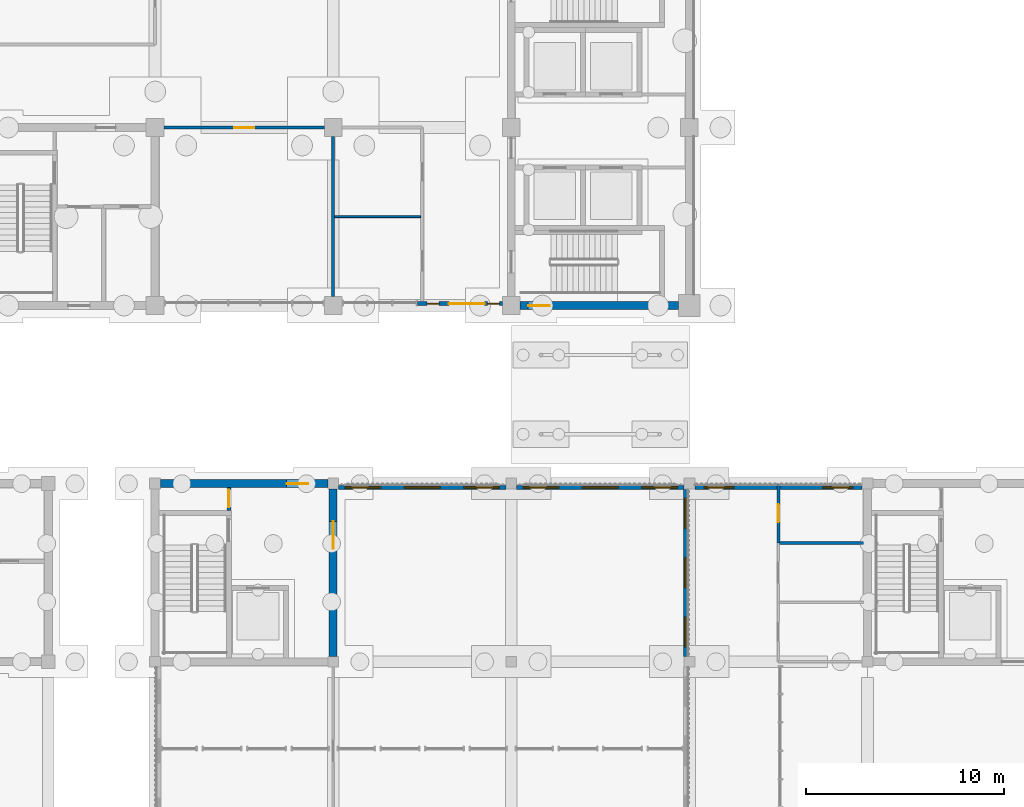
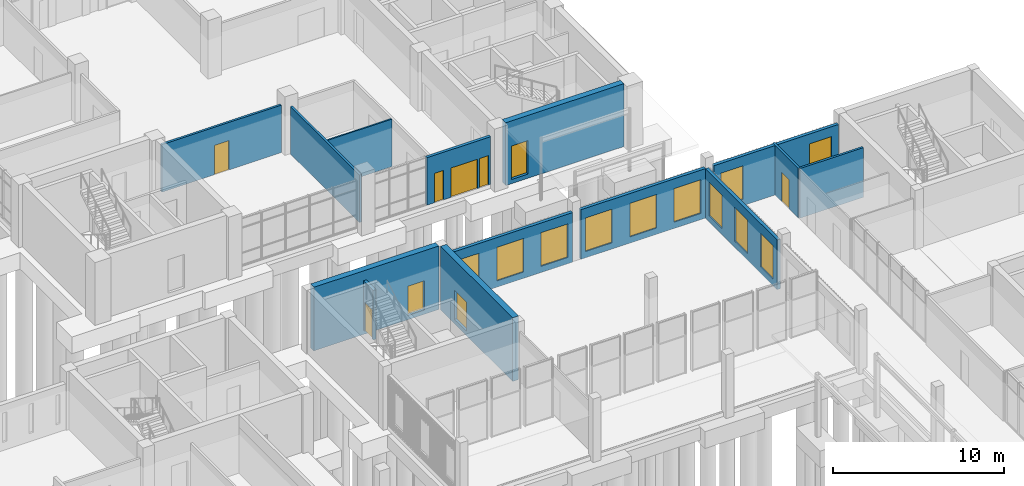
# One storey, part 78 of 106: 15 walls, 13 windows, 7 doors, 20 openings.
"""IFC4 building model written with IfcOpenShell, lengths in metres."""

from ifc_helpers import new_model, si_unit, direction, frame, frame_2d, origin, place, context, subcontext, project, spatial, rectangle, extrude, material, layer, layer_set, type_object, element, fill, save


model = new_model("IFC4")

# Units and contexts
model_context = context("Model", 3, precision=1e-05, world=origin(), true_north=direction((0.0, 1.0)))
body_context = subcontext(model_context, "Body", "Model", "MODEL_VIEW")
ifc_project = project(units=[si_unit("LENGTHUNIT", "METRE"), si_unit("AREAUNIT", "SQUARE_METRE"), si_unit("VOLUMEUNIT", "CUBIC_METRE"), si_unit("PLANEANGLEUNIT", "RADIAN"), si_unit("MASSUNIT", "GRAM", prefix="KILO")], contexts=[model_context])

# Site, building, storey
site_placement = place(None, origin())
site = spatial("IfcSite", under=ifc_project, at=site_placement, CompositionType="ELEMENT")
building_placement = place(site_placement, origin())
building = spatial("IfcBuilding", under=site, at=building_placement, Name="Merrow Basin Faculty of Sciences", CompositionType="ELEMENT")
storey_placement = place(building_placement, origin())
storey = spatial("IfcBuildingStorey", under=building, at=storey_placement, Name="L00", CompositionType="ELEMENT", Elevation=0.0)

# Wall, opening, door
ifc_material_1 = material(Name="Fire-rated gypsum board")
ifc_layer_1 = layer(ifc_material_1, 0.14990234375)
ifc_layer_set_1 = layer_set([ifc_layer_1], Name="Corridor partition 150 fire-rated board on steel studs")
wall_type_1 = type_object("IfcWallType", Name="Corridor partition 150 fire-rated board on steel studs", PredefinedType="PARTITIONING", material=ifc_layer_set_1)
wall_1_placement = place(storey_placement, frame((27.449951171875, 151.0, 0.0), z_axis=(0.0, 0.0, 1.0), x_axis=(1.0, 0.0, 0.0)))
wall_1 = element("IfcWall", 1, at=wall_1_placement, inside=storey, type_object=wall_type_1, Name="IW151 L00 010", PredefinedType="PARTITIONING", context=body_context, shape_type="SweptSolid", body=[
    extrude(rectangle(XDim=8.10009765625, YDim=0.14990234375, at=frame_2d((4.050048828125, 0.0))), origin(), (0.0, 0.0, 1.0), 3.39990234375),
])
opening_1_placement = place(wall_1_placement, frame((3.550048828125, 0.0, 0.0)))
opening_1 = element("IfcOpeningElement", 2, at=opening_1_placement, cuts=wall_1, Name="Opening D00T012", PredefinedType="OPENING", context=body_context, shape_type="SweptSolid", body=[
    extrude(rectangle(XDim=1.0, YDim=2.10009765625, at=frame_2d((0.5, 1.050048828125))), frame((0.0, 0.0849609375, 0.0), z_axis=(0.0, -1.0, 0.0), x_axis=(1.0, 0.0, 0.0)), (0.0, 0.0, 1.0), 0.169921875),
])
ifc_material_2 = material(Name="Fire-rated steel door", Category="steel")
door_type_1 = type_object("IfcDoorType", Name="Fire door FD60 1000 x 2100", OperationType="NOTDEFINED", PredefinedType="DOOR", material=ifc_material_2)
door_1_placement = place(opening_1_placement, origin())
door_1 = element("IfcDoor", 3, at=door_1_placement, inside=storey, type_object=door_type_1, Name="Door D00T012", OperationType="SINGLE_SWING_LEFT", OverallHeight=2.10009765625, OverallWidth=1.0, PredefinedType="DOOR", context=body_context, shape_type="SweptSolid", body=[
    extrude(rectangle(XDim=1.0, YDim=2.10009765625, at=frame_2d((0.5, 1.050048828125))), frame((0.0, 0.02490234375, 0.0), z_axis=(0.0, -1.0, 0.0), x_axis=(1.0, 0.0, 0.0)), (0.0, 0.0, 1.0), 0.050048828125),
])
fill(opening_1, door_1)

# Wall, openings, door, windows
ifc_material_3 = material(Name="Precast concrete C40/50", Category="concrete")
ifc_layer_2 = layer(ifc_material_3, 0.199951171875)
ifc_layer_set_2 = layer_set([ifc_layer_2], Name="Entrance frame wall 200 Precast concrete C40/50")
wall_type_2 = type_object("IfcWallType", Name="Entrance frame wall 200 Precast concrete C40/50", PredefinedType="STANDARD", material=ifc_layer_set_2)
wall_2_placement = place(storey_placement, frame((44.550048828125, 142.10009765625, 0.0), z_axis=(0.0, 0.0, 1.0), x_axis=(-1.0, 0.0, 0.0)))
wall_2 = element("IfcWall", 4, at=wall_2_placement, inside=storey, type_object=wall_type_2, Name="Entrance frame wall south", PredefinedType="STANDARD", context=body_context, shape_type="SweptSolid", body=[
    extrude(rectangle(XDim=4.300048828125, YDim=0.199951171875, at=frame_2d((2.14990234375, 0.0))), origin(), (0.0, 0.0, 1.0), 3.39990234375),
])
opening_2_placement = place(wall_2_placement, frame((0.89990234375, 0.0, 0.0)))
opening_2 = element("IfcOpeningElement", 5, at=opening_2_placement, cuts=wall_2, Name="Opening D00T016", PredefinedType="OPENING", context=body_context, shape_type="SweptSolid", body=[
    extrude(rectangle(XDim=1.800048828125, YDim=2.10009765625, at=frame_2d((0.89990234375, 1.050048828125))), frame((0.0, 0.10986328125, 0.0), z_axis=(0.0, -1.0, 0.0), x_axis=(1.0, 0.0, 0.0)), (0.0, 0.0, 1.0), 0.219970703125),
])
opening_3_placement = place(wall_2_placement, frame((0.14990234375, 0.0, 0.0)))
opening_3 = element("IfcOpeningElement", 6, at=opening_3_placement, cuts=wall_2, Name="Opening WN2", PredefinedType="OPENING", context=body_context, shape_type="SweptSolid", body=[
    extrude(rectangle(XDim=0.60009765625, YDim=2.10009765625, at=frame_2d((0.300048828125, 1.050048828125))), frame((0.0, 0.10986328125, 0.0), z_axis=(0.0, -1.0, 0.0), x_axis=(1.0, 0.0, 0.0)), (0.0, 0.0, 1.0), 0.219970703125),
])
opening_4_placement = place(wall_2_placement, frame((3.199951171875, 0.0, 0.0)))
opening_4 = element("IfcOpeningElement", 7, at=opening_4_placement, cuts=wall_2, Name="Opening WN2", PredefinedType="OPENING", context=body_context, shape_type="SweptSolid", body=[
    extrude(rectangle(XDim=0.60009765625, YDim=2.10009765625, at=frame_2d((0.300048828125, 1.050048828125))), frame((0.0, 0.10986328125, 0.0), z_axis=(0.0, -1.0, 0.0), x_axis=(1.0, 0.0, 0.0)), (0.0, 0.0, 1.0), 0.219970703125),
])
ifc_material_4 = material(Name="Glazed aluminium door", Category="aluminium")
door_type_2 = type_object("IfcDoorType", Name="Double swing door 1800 x 2100", OperationType="NOTDEFINED", PredefinedType="DOOR", material=ifc_material_4)
door_2_placement = place(opening_2_placement, origin())
door_2 = element("IfcDoor", 8, at=door_2_placement, inside=storey, type_object=door_type_2, Name="South entrance door", OperationType="DOUBLE_DOOR_SINGLE_SWING", OverallHeight=2.10009765625, OverallWidth=1.800048828125, PredefinedType="DOOR", context=body_context, shape_type="SweptSolid", body=[
    extrude(rectangle(XDim=1.800048828125, YDim=2.10009765625, at=frame_2d((0.89990234375, 1.050048828125))), frame((0.0, 0.02490234375, 0.0), z_axis=(0.0, -1.0, 0.0), x_axis=(1.0, 0.0, 0.0)), (0.0, 0.0, 1.0), 0.050048828125),
])
fill(opening_2, door_2)
ifc_material_5 = material(Name="Low-E double glazing", Category="glass")
window_type_1 = type_object("IfcWindowType", Name="Entrance sidelight 600 x 2100", PartitioningType="SINGLE_PANEL", PredefinedType="WINDOW", material=ifc_material_5)
window_1_placement = place(opening_3_placement, origin())
window_1 = element("IfcWindow", 9, at=window_1_placement, inside=storey, type_object=window_type_1, Name="South entrance sidelight", OverallHeight=2.10009765625, OverallWidth=0.60009765625, PartitioningType="SINGLE_PANEL", PredefinedType="WINDOW", context=body_context, shape_type="SweptSolid", body=[
    extrude(rectangle(XDim=0.60009765625, YDim=2.10009765625, at=frame_2d((0.300048828125, 1.050048828125))), frame((0.0, 0.030029296875, 0.0), z_axis=(0.0, -1.0, 0.0), x_axis=(1.0, 0.0, 0.0)), (0.0, 0.0, 1.0), 0.06005859375),
])
fill(opening_3, window_1)
window_2_placement = place(opening_4_placement, origin())
window_2 = element("IfcWindow", 10, at=window_2_placement, inside=storey, type_object=window_type_1, Name="South entrance sidelight", OverallHeight=2.10009765625, OverallWidth=0.60009765625, PartitioningType="SINGLE_PANEL", PredefinedType="WINDOW", context=body_context, shape_type="SweptSolid", body=[
    extrude(rectangle(XDim=0.60009765625, YDim=2.10009765625, at=frame_2d((0.300048828125, 1.050048828125))), frame((0.0, 0.030029296875, 0.0), z_axis=(0.0, -1.0, 0.0), x_axis=(1.0, 0.0, 0.0)), (0.0, 0.0, 1.0), 0.06005859375),
])
fill(opening_4, window_2)

# Wall, opening, window
ifc_material_6 = material(Name="Precast concrete C40/50", Category="concrete")
ifc_layer_3 = layer(ifc_material_6, 0.215087890625)
ifc_layer_set_3 = layer_set([ifc_layer_3], Name="External infill wall 215 Precast concrete C40/50")
wall_type_3 = type_object("IfcWallType", Name="External infill wall 215 Precast concrete C40/50", PredefinedType="STANDARD", material=ifc_layer_set_3)
wall_3_placement = place(storey_placement, frame((54.27490234375, 132.80810546875, 0.0), z_axis=(0.0, 0.0, 1.0), x_axis=(1.0, 0.0, 0.0)))
wall_3 = element("IfcWall", 11, at=wall_3_placement, inside=storey, type_object=wall_type_3, Name="N external wall 1", PredefinedType="STANDARD", context=body_context, shape_type="SweptSolid", body=[
    extrude(rectangle(XDim=4.150146484375, YDim=0.215087890625, at=frame_2d((2.0751953125, 0.0))), origin(), (0.0, 0.0, 1.0), 3.550048828125),
])
opening_5_placement = place(wall_3_placement, frame((0.47509765625, 0.0, 0.449951171875)))
opening_5 = element("IfcOpeningElement", 12, at=opening_5_placement, cuts=wall_3, Name="Opening WN7", PredefinedType="OPENING", context=body_context, shape_type="SweptSolid", body=[
    extrude(rectangle(XDim=1.5, YDim=2.39990234375, at=frame_2d((0.75, 1.199951171875))), frame((0.0, 0.117431640625, 0.0), z_axis=(0.0, -1.0, 0.0), x_axis=(1.0, 0.0, 0.0)), (0.0, 0.0, 1.0), 0.235107421875),
])
ifc_material_7 = material(Name="Low-E double glazing", Category="glass")
window_type_2 = type_object("IfcWindowType", Name="Shopfront window 1500 x 2400", PartitioningType="SINGLE_PANEL", PredefinedType="WINDOW", material=ifc_material_7)
window_3_placement = place(opening_5_placement, origin())
window_3 = element("IfcWindow", 13, at=window_3_placement, inside=storey, type_object=window_type_2, Name="N window L00", OverallHeight=2.39990234375, OverallWidth=1.5, PartitioningType="SINGLE_PANEL", PredefinedType="WINDOW", context=body_context, shape_type="SweptSolid", body=[
    extrude(rectangle(XDim=1.5, YDim=2.39990234375, at=frame_2d((0.75, 1.199951171875))), frame((0.0, 0.030029296875, 0.0), z_axis=(0.0, -1.0, 0.0), x_axis=(1.0, 0.0, 0.0)), (0.0, 0.0, 1.0), 0.06005859375),
])
fill(opening_5, window_3)

wall_4_placement = place(storey_placement, frame((58.574951171875, 132.80810546875, 0.0), z_axis=(0.0, 0.0, 1.0), x_axis=(1.0, 0.0, 0.0)))
wall_4 = element("IfcWall", 14, at=wall_4_placement, inside=storey, type_object=wall_type_3, Name="N external wall 2", PredefinedType="STANDARD", context=body_context, shape_type="SweptSolid", body=[
    extrude(rectangle(XDim=4.150146484375, YDim=0.215087890625, at=frame_2d((2.0751953125, 0.0))), origin(), (0.0, 0.0, 1.0), 3.550048828125),
])
opening_6_placement = place(wall_4_placement, frame((2.175048828125, 0.0, 0.449951171875)))
opening_6 = element("IfcOpeningElement", 15, at=opening_6_placement, cuts=wall_4, Name="Opening WN7", PredefinedType="OPENING", context=body_context, shape_type="SweptSolid", body=[
    extrude(rectangle(XDim=1.5, YDim=2.39990234375, at=frame_2d((0.75, 1.199951171875))), frame((0.0, 0.117431640625, 0.0), z_axis=(0.0, -1.0, 0.0), x_axis=(1.0, 0.0, 0.0)), (0.0, 0.0, 1.0), 0.235107421875),
])
window_4_placement = place(opening_6_placement, origin())
window_4 = element("IfcWindow", 16, at=window_4_placement, inside=storey, type_object=window_type_2, Name="N window L00", OverallHeight=2.39990234375, OverallWidth=1.5, PartitioningType="SINGLE_PANEL", PredefinedType="WINDOW", context=body_context, shape_type="SweptSolid", body=[
    extrude(rectangle(XDim=1.5, YDim=2.39990234375, at=frame_2d((0.75, 1.199951171875))), frame((0.0, 0.030029296875, 0.0), z_axis=(0.0, -1.0, 0.0), x_axis=(1.0, 0.0, 0.0)), (0.0, 0.0, 1.0), 0.06005859375),
])
fill(opening_6, window_4)

# Wall, openings, windows
wall_5_placement = place(storey_placement, frame((36.27490234375, 132.80810546875, 0.0), z_axis=(0.0, 0.0, 1.0), x_axis=(1.0, 0.0, 0.0)))
wall_5 = element("IfcWall", 17, at=wall_5_placement, inside=storey, type_object=wall_type_3, Name="N external wall 1", PredefinedType="STANDARD", context=body_context, shape_type="SweptSolid", body=[
    extrude(rectangle(XDim=8.4501953125, YDim=0.215087890625, at=frame_2d((4.22509765625, 0.0))), origin(), (0.0, 0.0, 1.0), 3.550048828125),
])
opening_7_placement = place(wall_5_placement, frame((0.324951171875, 0.0, 0.449951171875)))
opening_7 = element("IfcOpeningElement", 18, at=opening_7_placement, cuts=wall_5, Name="Opening WN13", PredefinedType="OPENING", context=body_context, shape_type="SweptSolid", body=[
    extrude(rectangle(XDim=1.800048828125, YDim=2.39990234375, at=frame_2d((0.89990234375, 1.199951171875))), frame((0.0, 0.117431640625, 0.0), z_axis=(0.0, -1.0, 0.0), x_axis=(1.0, 0.0, 0.0)), (0.0, 0.0, 1.0), 0.235107421875),
])
opening_8_placement = place(wall_5_placement, frame((3.324951171875, 0.0, 0.449951171875)))
opening_8 = element("IfcOpeningElement", 19, at=opening_8_placement, cuts=wall_5, Name="Opening WN13", PredefinedType="OPENING", context=body_context, shape_type="SweptSolid", body=[
    extrude(rectangle(XDim=1.800048828125, YDim=2.39990234375, at=frame_2d((0.89990234375, 1.199951171875))), frame((0.0, 0.117431640625, 0.0), z_axis=(0.0, -1.0, 0.0), x_axis=(1.0, 0.0, 0.0)), (0.0, 0.0, 1.0), 0.235107421875),
])
opening_9_placement = place(wall_5_placement, frame((6.324951171875, 0.0, 0.449951171875)))
opening_9 = element("IfcOpeningElement", 20, at=opening_9_placement, cuts=wall_5, Name="Opening WN13", PredefinedType="OPENING", context=body_context, shape_type="SweptSolid", body=[
    extrude(rectangle(XDim=1.800048828125, YDim=2.39990234375, at=frame_2d((0.89990234375, 1.199951171875))), frame((0.0, 0.117431640625, 0.0), z_axis=(0.0, -1.0, 0.0), x_axis=(1.0, 0.0, 0.0)), (0.0, 0.0, 1.0), 0.235107421875),
])
ifc_material_8 = material(Name="Low-E double glazing", Category="glass")
window_type_3 = type_object("IfcWindowType", Name="Reading room shopfront window 1800 x 2400", PartitioningType="SINGLE_PANEL", PredefinedType="WINDOW", material=ifc_material_8)
window_5_placement = place(opening_7_placement, origin())
window_5 = element("IfcWindow", 21, at=window_5_placement, inside=storey, type_object=window_type_3, Name="N window L00", OverallHeight=2.39990234375, OverallWidth=1.800048828125, PartitioningType="SINGLE_PANEL", PredefinedType="WINDOW", context=body_context, shape_type="SweptSolid", body=[
    extrude(rectangle(XDim=1.800048828125, YDim=2.39990234375, at=frame_2d((0.89990234375, 1.199951171875))), frame((0.0, 0.030029296875, 0.0), z_axis=(0.0, -1.0, 0.0), x_axis=(1.0, 0.0, 0.0)), (0.0, 0.0, 1.0), 0.06005859375),
])
fill(opening_7, window_5)
window_6_placement = place(opening_8_placement, origin())
window_6 = element("IfcWindow", 22, at=window_6_placement, inside=storey, type_object=window_type_3, Name="N window L00", OverallHeight=2.39990234375, OverallWidth=1.800048828125, PartitioningType="SINGLE_PANEL", PredefinedType="WINDOW", context=body_context, shape_type="SweptSolid", body=[
    extrude(rectangle(XDim=1.800048828125, YDim=2.39990234375, at=frame_2d((0.89990234375, 1.199951171875))), frame((0.0, 0.030029296875, 0.0), z_axis=(0.0, -1.0, 0.0), x_axis=(1.0, 0.0, 0.0)), (0.0, 0.0, 1.0), 0.06005859375),
])
fill(opening_8, window_6)
window_7_placement = place(opening_9_placement, origin())
window_7 = element("IfcWindow", 23, at=window_7_placement, inside=storey, type_object=window_type_3, Name="N window L00", OverallHeight=2.39990234375, OverallWidth=1.800048828125, PartitioningType="SINGLE_PANEL", PredefinedType="WINDOW", context=body_context, shape_type="SweptSolid", body=[
    extrude(rectangle(XDim=1.800048828125, YDim=2.39990234375, at=frame_2d((0.89990234375, 1.199951171875))), frame((0.0, 0.030029296875, 0.0), z_axis=(0.0, -1.0, 0.0), x_axis=(1.0, 0.0, 0.0)), (0.0, 0.0, 1.0), 0.06005859375),
])
fill(opening_9, window_7)

wall_6_placement = place(storey_placement, frame((45.27490234375, 132.80810546875, 0.0), z_axis=(0.0, 0.0, 1.0), x_axis=(1.0, 0.0, 0.0)))
wall_6 = element("IfcWall", 24, at=wall_6_placement, inside=storey, type_object=wall_type_3, Name="N external wall 2", PredefinedType="STANDARD", context=body_context, shape_type="SweptSolid", body=[
    extrude(rectangle(XDim=8.4501953125, YDim=0.215087890625, at=frame_2d((4.22509765625, 0.0))), origin(), (0.0, 0.0, 1.0), 3.550048828125),
])
opening_10_placement = place(wall_6_placement, frame((0.324951171875, 0.0, 0.449951171875)))
opening_10 = element("IfcOpeningElement", 25, at=opening_10_placement, cuts=wall_6, Name="Opening WN13", PredefinedType="OPENING", context=body_context, shape_type="SweptSolid", body=[
    extrude(rectangle(XDim=1.800048828125, YDim=2.39990234375, at=frame_2d((0.89990234375, 1.199951171875))), frame((0.0, 0.117431640625, 0.0), z_axis=(0.0, -1.0, 0.0), x_axis=(1.0, 0.0, 0.0)), (0.0, 0.0, 1.0), 0.235107421875),
])
opening_11_placement = place(wall_6_placement, frame((3.324951171875, 0.0, 0.449951171875)))
opening_11 = element("IfcOpeningElement", 26, at=opening_11_placement, cuts=wall_6, Name="Opening WN13", PredefinedType="OPENING", context=body_context, shape_type="SweptSolid", body=[
    extrude(rectangle(XDim=1.800048828125, YDim=2.39990234375, at=frame_2d((0.89990234375, 1.199951171875))), frame((0.0, 0.117431640625, 0.0), z_axis=(0.0, -1.0, 0.0), x_axis=(1.0, 0.0, 0.0)), (0.0, 0.0, 1.0), 0.235107421875),
])
opening_12_placement = place(wall_6_placement, frame((6.324951171875, 0.0, 0.449951171875)))
opening_12 = element("IfcOpeningElement", 27, at=opening_12_placement, cuts=wall_6, Name="Opening WN13", PredefinedType="OPENING", context=body_context, shape_type="SweptSolid", body=[
    extrude(rectangle(XDim=1.800048828125, YDim=2.39990234375, at=frame_2d((0.89990234375, 1.199951171875))), frame((0.0, 0.117431640625, 0.0), z_axis=(0.0, -1.0, 0.0), x_axis=(1.0, 0.0, 0.0)), (0.0, 0.0, 1.0), 0.235107421875),
])
window_8_placement = place(opening_10_placement, origin())
window_8 = element("IfcWindow", 28, at=window_8_placement, inside=storey, type_object=window_type_3, Name="N window L00", OverallHeight=2.39990234375, OverallWidth=1.800048828125, PartitioningType="SINGLE_PANEL", PredefinedType="WINDOW", context=body_context, shape_type="SweptSolid", body=[
    extrude(rectangle(XDim=1.800048828125, YDim=2.39990234375, at=frame_2d((0.89990234375, 1.199951171875))), frame((0.0, 0.030029296875, 0.0), z_axis=(0.0, -1.0, 0.0), x_axis=(1.0, 0.0, 0.0)), (0.0, 0.0, 1.0), 0.06005859375),
])
fill(opening_10, window_8)
window_9_placement = place(opening_11_placement, origin())
window_9 = element("IfcWindow", 29, at=window_9_placement, inside=storey, type_object=window_type_3, Name="N window L00", OverallHeight=2.39990234375, OverallWidth=1.800048828125, PartitioningType="SINGLE_PANEL", PredefinedType="WINDOW", context=body_context, shape_type="SweptSolid", body=[
    extrude(rectangle(XDim=1.800048828125, YDim=2.39990234375, at=frame_2d((0.89990234375, 1.199951171875))), frame((0.0, 0.030029296875, 0.0), z_axis=(0.0, -1.0, 0.0), x_axis=(1.0, 0.0, 0.0)), (0.0, 0.0, 1.0), 0.06005859375),
])
fill(opening_11, window_9)
window_10_placement = place(opening_12_placement, origin())
window_10 = element("IfcWindow", 30, at=window_10_placement, inside=storey, type_object=window_type_3, Name="N window L00", OverallHeight=2.39990234375, OverallWidth=1.800048828125, PartitioningType="SINGLE_PANEL", PredefinedType="WINDOW", context=body_context, shape_type="SweptSolid", body=[
    extrude(rectangle(XDim=1.800048828125, YDim=2.39990234375, at=frame_2d((0.89990234375, 1.199951171875))), frame((0.0, 0.030029296875, 0.0), z_axis=(0.0, -1.0, 0.0), x_axis=(1.0, 0.0, 0.0)), (0.0, 0.0, 1.0), 0.06005859375),
])
fill(opening_12, window_10)

wall_7_placement = place(storey_placement, frame((53.806884765625, 132.700927734375, 0.0), z_axis=(0.0, 0.0, 1.0), x_axis=(0.0, -1.0, 0.0)))
wall_7 = element("IfcWall", 31, at=wall_7_placement, inside=storey, type_object=wall_type_3, Name="E external wall 2", PredefinedType="STANDARD", context=body_context, shape_type="SweptSolid", body=[
    extrude(rectangle(XDim=8.426025390625, YDim=0.215087890625, at=frame_2d((4.212890625, 0.0))), origin(), (0.0, 0.0, 1.0), 3.550048828125),
])
opening_13_placement = place(wall_7_placement, frame((6.450927734375, 0.0, 0.449951171875)))
opening_13 = element("IfcOpeningElement", 32, at=opening_13_placement, cuts=wall_7, Name="Opening WN7", PredefinedType="OPENING", context=body_context, shape_type="SweptSolid", body=[
    extrude(rectangle(XDim=1.5, YDim=2.39990234375, at=frame_2d((0.75, 1.199951171875))), frame((0.0, 0.117431640625, 0.0), z_axis=(0.0, -1.0, 0.0), x_axis=(1.0, 0.0, 0.0)), (0.0, 0.0, 1.0), 0.235107421875),
])
opening_14_placement = place(wall_7_placement, frame((3.450927734375, 0.0, 0.449951171875)))
opening_14 = element("IfcOpeningElement", 33, at=opening_14_placement, cuts=wall_7, Name="Opening WN7", PredefinedType="OPENING", context=body_context, shape_type="SweptSolid", body=[
    extrude(rectangle(XDim=1.5, YDim=2.39990234375, at=frame_2d((0.75, 1.199951171875))), frame((0.0, 0.117431640625, 0.0), z_axis=(0.0, -1.0, 0.0), x_axis=(1.0, 0.0, 0.0)), (0.0, 0.0, 1.0), 0.235107421875),
])
opening_15_placement = place(wall_7_placement, frame((0.450927734375, 0.0, 0.449951171875)))
opening_15 = element("IfcOpeningElement", 34, at=opening_15_placement, cuts=wall_7, Name="Opening WN7", PredefinedType="OPENING", context=body_context, shape_type="SweptSolid", body=[
    extrude(rectangle(XDim=1.5, YDim=2.39990234375, at=frame_2d((0.75, 1.199951171875))), frame((0.0, 0.117431640625, 0.0), z_axis=(0.0, -1.0, 0.0), x_axis=(1.0, 0.0, 0.0)), (0.0, 0.0, 1.0), 0.235107421875),
])
window_11_placement = place(opening_13_placement, origin())
window_11 = element("IfcWindow", 35, at=window_11_placement, inside=storey, type_object=window_type_2, Name="E window L00", OverallHeight=2.39990234375, OverallWidth=1.5, PartitioningType="SINGLE_PANEL", PredefinedType="WINDOW", context=body_context, shape_type="SweptSolid", body=[
    extrude(rectangle(XDim=1.5, YDim=2.39990234375, at=frame_2d((0.75, 1.199951171875))), frame((0.0, 0.030029296875, 0.0), z_axis=(0.0, -1.0, 0.0), x_axis=(1.0, 0.0, 0.0)), (0.0, 0.0, 1.0), 0.06005859375),
])
fill(opening_13, window_11)
window_12_placement = place(opening_14_placement, origin())
window_12 = element("IfcWindow", 36, at=window_12_placement, inside=storey, type_object=window_type_2, Name="E window L00", OverallHeight=2.39990234375, OverallWidth=1.5, PartitioningType="SINGLE_PANEL", PredefinedType="WINDOW", context=body_context, shape_type="SweptSolid", body=[
    extrude(rectangle(XDim=1.5, YDim=2.39990234375, at=frame_2d((0.75, 1.199951171875))), frame((0.0, 0.030029296875, 0.0), z_axis=(0.0, -1.0, 0.0), x_axis=(1.0, 0.0, 0.0)), (0.0, 0.0, 1.0), 0.06005859375),
])
fill(opening_14, window_12)
window_13_placement = place(opening_15_placement, origin())
window_13 = element("IfcWindow", 37, at=window_13_placement, inside=storey, type_object=window_type_2, Name="E window L00", OverallHeight=2.39990234375, OverallWidth=1.5, PartitioningType="SINGLE_PANEL", PredefinedType="WINDOW", context=body_context, shape_type="SweptSolid", body=[
    extrude(rectangle(XDim=1.5, YDim=2.39990234375, at=frame_2d((0.75, 1.199951171875))), frame((0.0, 0.030029296875, 0.0), z_axis=(0.0, -1.0, 0.0), x_axis=(1.0, 0.0, 0.0)), (0.0, 0.0, 1.0), 0.06005859375),
])
fill(opening_15, window_13)

# Walls
ifc_material_9 = material(Name="Fire-rated gypsum board")
ifc_layer_4 = layer(ifc_material_9, 0.14990234375)
ifc_layer_set_4 = layer_set([ifc_layer_4], Name="Laboratory partition 150 fire-rated board on steel studs")
wall_type_4 = type_object("IfcWallType", Name="Laboratory partition 150 fire-rated board on steel studs", PredefinedType="PARTITIONING", material=ifc_layer_set_4)
wall_8_placement = place(storey_placement, frame((36.0, 142.449951171875, 0.0), z_axis=(0.0, 0.0, 1.0), x_axis=(0.0, 1.0, 0.0)))
element("IfcWall", 38, at=wall_8_placement, inside=storey, type_object=wall_type_4, Name="IW150 L00 015", PredefinedType="PARTITIONING", context=body_context, shape_type="SweptSolid", body=[
    extrude(rectangle(XDim=8.10009765625, YDim=0.14990234375, at=frame_2d((4.050048828125, 0.0))), origin(), (0.0, 0.0, 1.0), 3.39990234375),
])
ifc_material_10 = material(Name="Moisture-resistant gypsum board")
ifc_layer_5 = layer(ifc_material_10, 0.10009765625)
ifc_layer_set_5 = layer_set([ifc_layer_5], Name="Partition 100 moisture-resistant board on steel studs")
wall_type_5 = type_object("IfcWallType", Name="Partition 100 moisture-resistant board on steel studs", PredefinedType="PARTITIONING", material=ifc_layer_set_5)
wall_9_placement = place(storey_placement, frame((36.074951171875, 146.5, 0.0), z_axis=(0.0, 0.0, 1.0), x_axis=(1.0, 0.0, 0.0)))
element("IfcWall", 39, at=wall_9_placement, inside=storey, type_object=wall_type_5, Name="IW101 L00 016", PredefinedType="PARTITIONING", context=body_context, shape_type="SweptSolid", body=[
    extrude(rectangle(XDim=4.35009765625, YDim=0.10009765625, at=frame_2d((2.175048828125, 0.0))), origin(), (0.0, 0.0, 1.0), 3.39990234375),
])

# Wall, opening, door
ifc_material_11 = material(Name="Fire-rated gypsum board")
ifc_layer_6 = layer(ifc_material_11, 0.199951171875)
ifc_layer_set_6 = layer_set([ifc_layer_6], Name="Riser lining 200 fire-rated board on steel studs")
wall_type_6 = type_object("IfcWallType", Name="Riser lining 200 fire-rated board on steel studs", PredefinedType="PARTITIONING", material=ifc_layer_set_6)
wall_10_placement = place(storey_placement, frame((30.72509765625, 131.64990234375, 0.0), z_axis=(0.0, 0.0, 1.0), x_axis=(0.0, 1.0, 0.0)))
wall_10 = element("IfcWall", 40, at=wall_10_placement, inside=storey, type_object=wall_type_6, Name="IW200 L00 001", PredefinedType="PARTITIONING", context=body_context, shape_type="SweptSolid", body=[
    extrude(rectangle(XDim=1.150146484375, YDim=0.199951171875, at=frame_2d((0.5751953125, 0.0))), origin(), (0.0, 0.0, 1.0), 3.550048828125),
])
opening_16_placement = place(wall_10_placement, frame((0.14990234375, 0.0, 0.0)))
opening_16 = element("IfcOpeningElement", 41, at=opening_16_placement, cuts=wall_10, Name="Opening D00C016", PredefinedType="OPENING", context=body_context, shape_type="SweptSolid", body=[
    extrude(rectangle(XDim=0.89990234375, YDim=2.10009765625, at=frame_2d((0.449951171875, 1.050048828125))), frame((0.0, 0.10986328125, 0.0), z_axis=(0.0, -1.0, 0.0), x_axis=(1.0, 0.0, 0.0)), (0.0, 0.0, 1.0), 0.219970703125),
])
ifc_material_12 = material(Name="Fire-rated steel door", Category="steel")
door_type_3 = type_object("IfcDoorType", Name="Fire door FD60 900 x 2100", OperationType="NOTDEFINED", PredefinedType="DOOR", material=ifc_material_12)
door_3_placement = place(opening_16_placement, origin())
door_3 = element("IfcDoor", 42, at=door_3_placement, inside=storey, type_object=door_type_3, Name="Door D00C016", OperationType="SINGLE_SWING_LEFT", OverallHeight=2.10009765625, OverallWidth=0.89990234375, PredefinedType="DOOR", context=body_context, shape_type="SweptSolid", body=[
    extrude(rectangle(XDim=0.89990234375, YDim=2.10009765625, at=frame_2d((0.449951171875, 1.050048828125))), frame((0.0, 0.02490234375, 0.0), z_axis=(0.0, -1.0, 0.0), x_axis=(1.0, 0.0, 0.0)), (0.0, 0.0, 1.0), 0.050048828125),
])
fill(opening_16, door_3)

ifc_material_13 = material(Name="Concrete C40/50", Category="concrete")
ifc_layer_7 = layer(ifc_material_13, 0.39990234375)
ifc_layer_set_7 = layer_set([ifc_layer_7], Name="Shear wall 400 Concrete C40/50")
wall_type_7 = type_object("IfcWallType", Name="Shear wall 400 Concrete C40/50", PredefinedType="SHEAR", material=ifc_layer_set_7)
wall_11_placement = place(storey_placement, frame((27.27490234375, 133.0, -0.300048828125), z_axis=(0.0, 0.0, 1.0), x_axis=(1.0, 0.0, 0.0)))
wall_11 = element("IfcWall", 43, at=wall_11_placement, inside=storey, type_object=wall_type_7, Name="SW1 L00 002", PredefinedType="SHEAR", context=body_context, shape_type="SweptSolid", body=[
    extrude(rectangle(XDim=8.4501953125, YDim=0.39990234375, at=frame_2d((4.22509765625, 0.0))), origin(), (0.0, 0.0, 1.0), 4.550048828125),
])
opening_17_placement = place(wall_11_placement, frame((6.375, 0.0, 0.300048828125)))
opening_17 = element("IfcOpeningElement", 44, at=opening_17_placement, cuts=wall_11, Name="Opening D00C015", PredefinedType="OPENING", context=body_context, shape_type="SweptSolid", body=[
    extrude(rectangle(XDim=1.10009765625, YDim=2.10009765625, at=frame_2d((0.550048828125, 1.050048828125))), frame((0.0, 0.2099609375, 0.0), z_axis=(0.0, -1.0, 0.0), x_axis=(1.0, 0.0, 0.0)), (0.0, 0.0, 1.0), 0.419921875),
])
ifc_material_14 = material(Name="Fire-rated steel door", Category="steel")
door_type_4 = type_object("IfcDoorType", Name="Fire door FD90 1100 x 2100", OperationType="NOTDEFINED", PredefinedType="DOOR", material=ifc_material_14)
door_4_placement = place(opening_17_placement, origin())
door_4 = element("IfcDoor", 45, at=door_4_placement, inside=storey, type_object=door_type_4, Name="Core W exit door", OperationType="SINGLE_SWING_RIGHT", OverallHeight=2.10009765625, OverallWidth=1.10009765625, PredefinedType="DOOR", context=body_context, shape_type="SweptSolid", body=[
    extrude(rectangle(XDim=1.10009765625, YDim=2.10009765625, at=frame_2d((0.550048828125, 1.050048828125))), frame((0.0, 0.02490234375, 0.0), z_axis=(0.0, -1.0, 0.0), x_axis=(1.0, 0.0, 0.0)), (0.0, 0.0, 1.0), 0.050048828125),
])
fill(opening_17, door_4)

wall_12_placement = place(storey_placement, frame((36.0, 124.27490234375, -0.300048828125), z_axis=(0.0, 0.0, 1.0), x_axis=(0.0, 1.0, 0.0)))
wall_12 = element("IfcWall", 46, at=wall_12_placement, inside=storey, type_object=wall_type_7, Name="SW1 L00 004", PredefinedType="SHEAR", context=body_context, shape_type="SweptSolid", body=[
    extrude(rectangle(XDim=8.4501953125, YDim=0.39990234375, at=frame_2d((4.22509765625, 0.0))), origin(), (0.0, 0.0, 1.0), 4.550048828125),
])
opening_18_placement = place(wall_12_placement, frame((5.425048828125, 0.0, 0.300048828125)))
opening_18 = element("IfcOpeningElement", 47, at=opening_18_placement, cuts=wall_12, Name="Opening D00C014", PredefinedType="OPENING", context=body_context, shape_type="SweptSolid", body=[
    extrude(rectangle(XDim=1.39990234375, YDim=2.10009765625, at=frame_2d((0.699951171875, 1.050048828125))), frame((0.0, 0.2099609375, 0.0), z_axis=(0.0, -1.0, 0.0), x_axis=(1.0, 0.0, 0.0)), (0.0, 0.0, 1.0), 0.419921875),
])
ifc_material_15 = material(Name="Fire-rated steel door", Category="steel")
door_type_5 = type_object("IfcDoorType", Name="Fire door FD60 1400 x 2100", OperationType="NOTDEFINED", PredefinedType="DOOR", material=ifc_material_15)
door_5_placement = place(opening_18_placement, origin())
door_5 = element("IfcDoor", 48, at=door_5_placement, inside=storey, type_object=door_type_5, Name="Door D00C014", OperationType="SINGLE_SWING_RIGHT", OverallHeight=2.10009765625, OverallWidth=1.39990234375, PredefinedType="DOOR", context=body_context, shape_type="SweptSolid", body=[
    extrude(rectangle(XDim=1.39990234375, YDim=2.10009765625, at=frame_2d((0.699951171875, 1.050048828125))), frame((0.0, 0.02490234375, 0.0), z_axis=(0.0, -1.0, 0.0), x_axis=(1.0, 0.0, 0.0)), (0.0, 0.0, 1.0), 0.050048828125),
])
fill(opening_18, door_5)

ifc_material_16 = material(Name="Concrete C50/60", Category="concrete")
ifc_layer_8 = layer(ifc_material_16, 0.39990234375)
ifc_layer_set_8 = layer_set([ifc_layer_8], Name="Shear wall 400 Concrete C50/60")
wall_type_8 = type_object("IfcWallType", Name="Shear wall 400 Concrete C50/60", PredefinedType="SHEAR", material=ifc_layer_set_8)
wall_13_placement = place(storey_placement, frame((45.449951171875, 142.0, -0.300048828125), z_axis=(0.0, 0.0, 1.0), x_axis=(1.0, 0.0, 0.0)))
wall_13 = element("IfcWall", 49, at=wall_13_placement, inside=storey, type_object=wall_type_8, Name="SW3 L00 001", PredefinedType="SHEAR", context=body_context, shape_type="SweptSolid", body=[
    extrude(rectangle(XDim=8.0, YDim=0.39990234375, at=frame_2d((4.0, 0.0))), origin(), (0.0, 0.0, 1.0), 4.5),
])
opening_19_placement = place(wall_13_placement, frame((0.39990234375, 0.0, 0.300048828125)))
opening_19 = element("IfcOpeningElement", 50, at=opening_19_placement, cuts=wall_13, Name="Opening D00T002", PredefinedType="OPENING", context=body_context, shape_type="SweptSolid", body=[
    extrude(rectangle(XDim=1.10009765625, YDim=2.39990234375, at=frame_2d((0.550048828125, 1.199951171875))), frame((0.0, 0.2099609375, 0.0), z_axis=(0.0, -1.0, 0.0), x_axis=(1.0, 0.0, 0.0)), (0.0, 0.0, 1.0), 0.419921875),
])
ifc_material_17 = material(Name="Fire-rated steel door", Category="steel")
door_type_6 = type_object("IfcDoorType", Name="Fire door FD90 1100 x 2400", OperationType="NOTDEFINED", PredefinedType="DOOR", material=ifc_material_17)
door_6_placement = place(opening_19_placement, frame((1.10009765625, 0.0, 0.0), z_axis=(0.0, 0.0, 1.0), x_axis=(-1.0, 0.0, 0.0)))
door_6 = element("IfcDoor", 51, at=door_6_placement, inside=storey, type_object=door_type_6, Name="Door D00T002", OperationType="SINGLE_SWING_LEFT", OverallHeight=2.39990234375, OverallWidth=1.10009765625, PredefinedType="DOOR", context=body_context, shape_type="SweptSolid", body=[
    extrude(rectangle(XDim=1.10009765625, YDim=2.39990234375, at=frame_2d((0.550048828125, 1.199951171875))), frame((0.0, 0.02490234375, 0.0), z_axis=(0.0, -1.0, 0.0), x_axis=(1.0, 0.0, 0.0)), (0.0, 0.0, 1.0), 0.050048828125),
])
fill(opening_19, door_6)

ifc_material_18 = material(Name="Fire-rated gypsum board")
ifc_layer_9 = layer(ifc_material_18, 0.14990234375)
ifc_layer_set_9 = layer_set([ifc_layer_9], Name="Store partition 150 fire-rated board on steel studs")
wall_type_9 = type_object("IfcWallType", Name="Store partition 150 fire-rated board on steel studs", PredefinedType="PARTITIONING", material=ifc_layer_set_9)
wall_14_placement = place(storey_placement, frame((58.5, 130.0, 0.0), z_axis=(0.0, 0.0, 1.0), x_axis=(0.0, 1.0, 0.0)))
wall_14 = element("IfcWall", 52, at=wall_14_placement, inside=storey, type_object=wall_type_9, Name="IW152 L00 006", PredefinedType="PARTITIONING", context=body_context, shape_type="SweptSolid", body=[
    extrude(rectangle(XDim=3.0, YDim=0.14990234375, at=frame_2d((1.5, 0.0))), origin(), (0.0, 0.0, 1.0), 3.550048828125),
])
opening_20_placement = place(wall_14_placement, frame((1.050048828125, 0.0, 0.0)))
opening_20 = element("IfcOpeningElement", 53, at=opening_20_placement, cuts=wall_14, Name="Opening D00C025", PredefinedType="OPENING", context=body_context, shape_type="SweptSolid", body=[
    extrude(rectangle(XDim=0.89990234375, YDim=2.10009765625, at=frame_2d((0.449951171875, 1.050048828125))), frame((0.0, 0.0849609375, 0.0), z_axis=(0.0, -1.0, 0.0), x_axis=(1.0, 0.0, 0.0)), (0.0, 0.0, 1.0), 0.169921875),
])
door_7_placement = place(opening_20_placement, origin())
door_7 = element("IfcDoor", 54, at=door_7_placement, inside=storey, type_object=door_type_3, Name="Door D00C025", OperationType="SINGLE_SWING_LEFT", OverallHeight=2.10009765625, OverallWidth=0.89990234375, PredefinedType="DOOR", context=body_context, shape_type="SweptSolid", body=[
    extrude(rectangle(XDim=0.89990234375, YDim=2.10009765625, at=frame_2d((0.449951171875, 1.050048828125))), frame((0.0, 0.02490234375, 0.0), z_axis=(0.0, -1.0, 0.0), x_axis=(1.0, 0.0, 0.0)), (0.0, 0.0, 1.0), 0.050048828125),
])
fill(opening_20, door_7)

# Wall
wall_15_placement = place(storey_placement, frame((58.5, 130.0, 0.0), z_axis=(0.0, 0.0, 1.0), x_axis=(1.0, 0.0, 0.0)))
element("IfcWall", 55, at=wall_15_placement, inside=storey, type_object=wall_type_9, Name="IW152 L00 009", PredefinedType="PARTITIONING", context=body_context, shape_type="SweptSolid", body=[
    extrude(rectangle(XDim=4.300048828125, YDim=0.14990234375, at=frame_2d((2.14990234375, 0.0))), origin(), (0.0, 0.0, 1.0), 3.550048828125),
])

save(model, "model.ifc")
